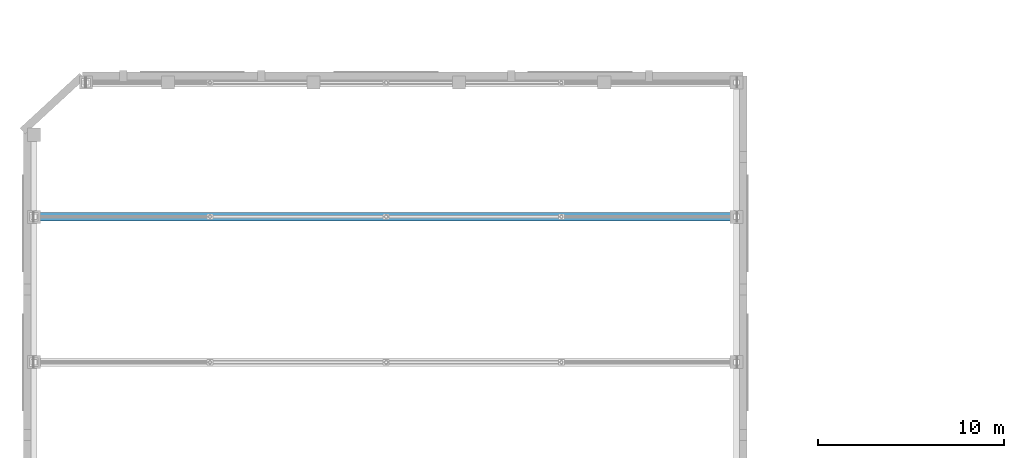
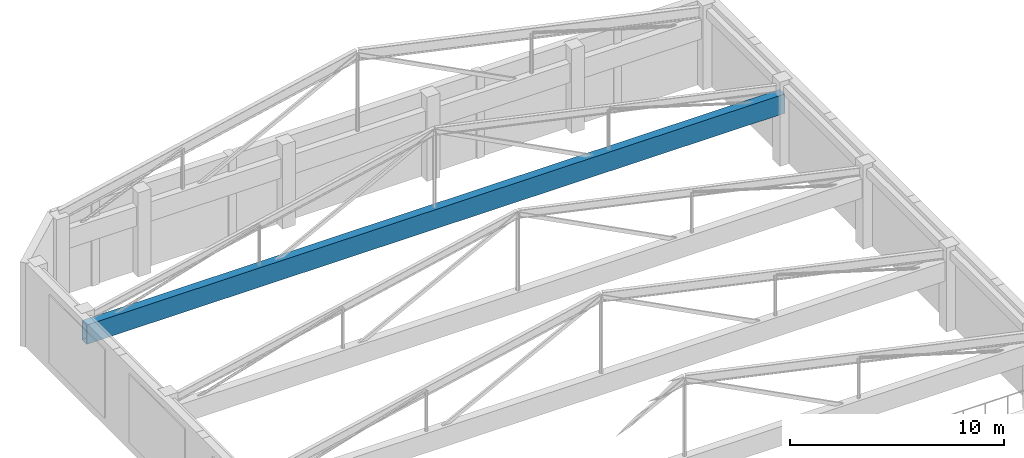
# One storey, part 37 of 105: 1 beam.
"""IFC4 building model written with IfcOpenShell, lengths in metres."""

from ifc_helpers import new_model, si_unit, direction, frame, origin, origin_2d, place, context, subcontext, project, spatial, hollow_rectangle, extrude, material, material_profile, profile_set, type_object, element, save


model = new_model("IFC4")

# Units and contexts
model_context = context("Model", 3, precision=1e-05, world=origin(), true_north=direction((0.0, 1.0)))
body_context = subcontext(model_context, "Body", "Model", "MODEL_VIEW")
ifc_project = project(units=[si_unit("LENGTHUNIT", "METRE"), si_unit("AREAUNIT", "SQUARE_METRE"), si_unit("VOLUMEUNIT", "CUBIC_METRE"), si_unit("PLANEANGLEUNIT", "RADIAN"), si_unit("MASSUNIT", "GRAM", prefix="KILO")], contexts=[model_context])

# Site, building, storey
site_placement = place(None, origin())
site = spatial("IfcSite", under=ifc_project, at=site_placement, CompositionType="ELEMENT")
building_placement = place(site_placement, origin())
building = spatial("IfcBuilding", under=site, at=building_placement, Name="Pelvatis Terrace Science Centre", CompositionType="ELEMENT")
storey_placement = place(building_placement, frame((0.0, 0.0, 10.199951171875)))
storey = spatial("IfcBuildingStorey", under=building, at=storey_placement, Name="L02", CompositionType="ELEMENT", Elevation=10.199951171875)

# Beam
ifc_material = material(Name="Structural steel S355", Category="steel")
ifc_material_profile = material_profile(ifc_material, hollow_rectangle(XDim=0.449951171875, YDim=1.10009765625, WallThickness=0.02197265625, at=origin_2d()), Name="RHS 1100x450x22.0")
ifc_profile_set = profile_set([ifc_material_profile], Name="Structural steel S355")
beam_type = type_object("IfcBeamType", Name="BM-STL-BOX1100", PredefinedType="BEAM", material=ifc_profile_set)
beam_placement = place(storey_placement, frame((8.39990234375, 109.199951171875, 3.400146484375), z_axis=(1.0, 0.0, 0.0), x_axis=(0.0, 1.0, 0.0)))
element("IfcBeam", 1, at=beam_placement, inside=storey, type_object=beam_type, Name="Theatre roof truss 6 bottom tie girder", PredefinedType="BEAM", context=body_context, shape_type="SweptSolid", body=[
    extrude(hollow_rectangle(XDim=0.449951171875, YDim=1.10009765625, WallThickness=0.02197265625, at=origin_2d()), origin(), (0.0, 0.0, 1.0), 37.7001953125),
])

save(model, "model.ifc")
